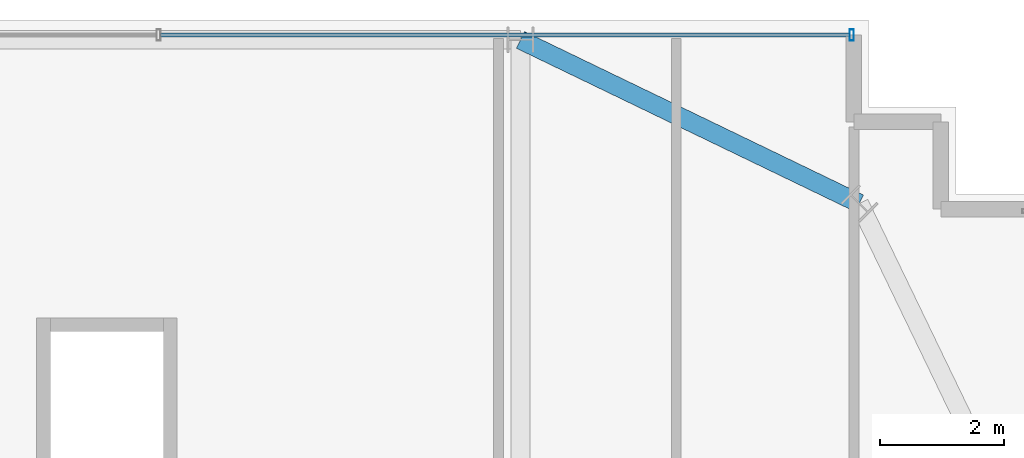
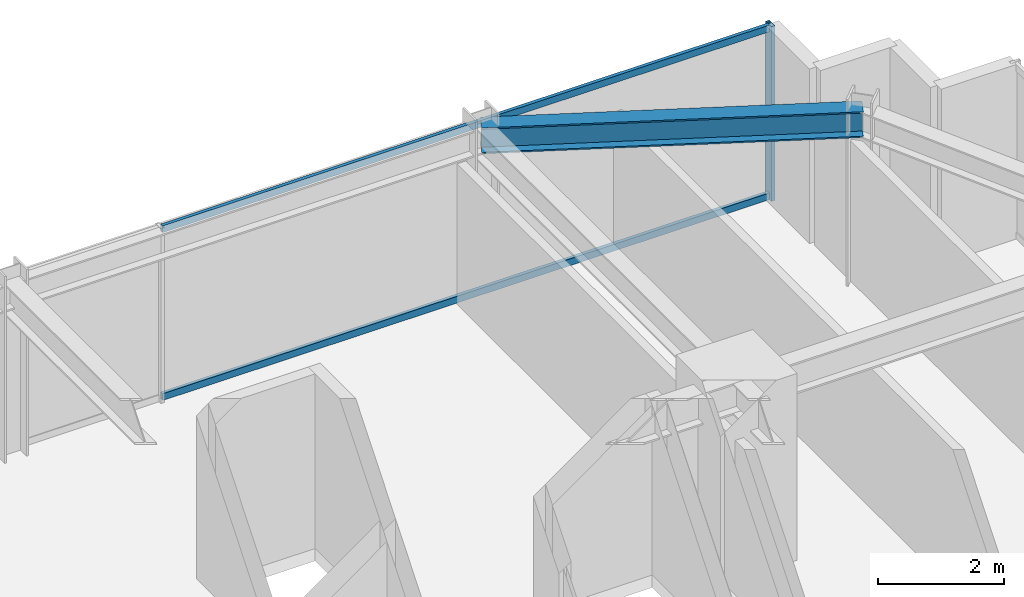
# One storey, part 27 of 36: 3 members, 1 beam, 1 element without a shape of its own.
"""IFC4 building model written with IfcOpenShell, lengths in metres."""

from ifc_helpers import new_model, si_unit, direction, frame, origin, origin_2d, place, context, subcontext, project, spatial, hollow_rectangle, i_section, extrude, source, transform, mapped, material, material_profile, profile_set, type_object, element, aggregate, save


model = new_model("IFC4")

# Units and contexts
model_context = context("Model", 3, precision=1e-05, world=origin(), true_north=direction((0.0, 1.0)))
body_context = subcontext(model_context, "Body", "Model", "MODEL_VIEW")
ifc_project = project(units=[si_unit("LENGTHUNIT", "METRE"), si_unit("AREAUNIT", "SQUARE_METRE"), si_unit("VOLUMEUNIT", "CUBIC_METRE"), si_unit("PLANEANGLEUNIT", "RADIAN"), si_unit("MASSUNIT", "GRAM", prefix="KILO")], contexts=[model_context])

# Site, building, storey
site_placement = place(None, origin())
site = spatial("IfcSite", under=ifc_project, at=site_placement, CompositionType="ELEMENT")
building_placement = place(site_placement, origin())
building = spatial("IfcBuilding", under=site, at=building_placement, Name="Nahalor Promenade Grand Hotel", CompositionType="ELEMENT")
storey_placement = place(building_placement, frame((0.0, 0.0, 72.550048828125)))
storey = spatial("IfcBuildingStorey", under=building, at=storey_placement, Name="L17", CompositionType="ELEMENT", Elevation=72.550048828125)

# Beam
ifc_material_1 = material(Name="Steel S355JR", Category="steel")
ifc_material_profile_1 = material_profile(ifc_material_1, i_section(OverallWidth=0.3, OverallDepth=0.5, WebThickness=0.0145, FlangeThickness=0.028, at=origin_2d()), Name="HEB 500")
ifc_profile_set_1 = profile_set([ifc_material_profile_1], Name="Steel S355JR")
beam_type = type_object("IfcBeamType", Name="Beam-Spandrel-HEB500", PredefinedType="SPANDREL", material=ifc_profile_set_1)
shared_shape_1 = source(origin(), body_context, "Body", "SweptSolid", [
    extrude(i_section(OverallWidth=0.3, OverallDepth=0.5, WebThickness=0.0145, FlangeThickness=0.028, at=origin_2d()), origin(), (0.0, 0.0, 1.0), 6.051513671875),
])
beam_placement = place(storey_placement, frame((17.0, 25.080078125, 3.119873046875), z_axis=(0.900608818852, -0.434630596492, 0.0), x_axis=(0.434630596492, 0.900608818852, 0.0)))
element("IfcBeam", 1, at=beam_placement, inside=storey, type_object=beam_type, Name="BM-L17-SPC-NE-1", PredefinedType="SPANDREL", context=body_context, shape_type="MappedRepresentation", body=[
    mapped(shared_shape_1, transform((0.0, 0.0, 0.0), scale=1.0)),
])

# Curtain wall, members
ifc_material_2 = material(Name="Anodised Bronze Aluminium EN AW-6063 T6", Category="aluminium")
curtain_wall_type = type_object("IfcCurtainWallType", Name="CW2 Typical Hotel Flush Bronze Unitised Curtain Wall", PredefinedType="USERDEFINED", material=ifc_material_2)
curtain_wall_placement = place(storey_placement, origin())
curtain_wall = element("IfcCurtainWall", 2, at=curtain_wall_placement, inside=storey, type_object=curtain_wall_type, Name="L17 Curtain Wall CW-L17-N-1", ObjectType="UNITISED_CURTAIN_WALL", PredefinedType="USERDEFINED")
ifc_material_profile_2 = material_profile(ifc_material_2, hollow_rectangle(XDim=0.065, YDim=0.13, WallThickness=0.004, at=origin_2d()), Name="CWT 65x130x4")
ifc_profile_set_2 = profile_set([ifc_material_profile_2], Name="Anodised Bronze Aluminium EN AW-6063 T6")
member_type_1 = type_object("IfcMemberType", Name="CWT2 Typical Bronze Transom 65x130", PredefinedType="USERDEFINED", material=ifc_profile_set_2)
shared_shape_2 = source(origin(), body_context, "Body", "SweptSolid", [
    extrude(hollow_rectangle(XDim=0.065, YDim=0.13, WallThickness=0.004, at=origin_2d()), origin(), (0.0, 0.0, 1.0), 11.08251953125),
])
member_1_placement = place(storey_placement, frame((11.21240234375, 25.159912109375, 0.06494140625), z_axis=(1.0, 0.0, 0.0), x_axis=(0.0, 1.0, 0.0)))
member_1 = element("IfcMember", 3, at=member_1_placement, type_object=member_type_1, Name="CW-L17-N-1 Transom 3-0", ObjectType="TRANSOM", PredefinedType="USERDEFINED", context=body_context, shape_type="MappedRepresentation", body=[
    mapped(shared_shape_2, transform((0.0, 0.0, 0.0), scale=1.0)),
])
member_2_placement = place(storey_placement, frame((11.21240234375, 25.159912109375, 3.304931640625), z_axis=(1.0, 0.0, 0.0), x_axis=(0.0, 1.0, 0.0)))
member_2 = element("IfcMember", 4, at=member_2_placement, type_object=member_type_1, Name="CW-L17-N-1 Transom 3-1", ObjectType="TRANSOM", PredefinedType="USERDEFINED", context=body_context, shape_type="MappedRepresentation", body=[
    mapped(shared_shape_2, transform((0.0, 0.0, 0.0), scale=1.0)),
])
ifc_material_profile_3 = material_profile(ifc_material_2, hollow_rectangle(XDim=0.065, YDim=0.18, WallThickness=0.004, at=origin_2d()), Name="CWM 65x180x4")
ifc_profile_set_3 = profile_set([ifc_material_profile_3], Name="Anodised Bronze Aluminium EN AW-6063 T6")
member_type_2 = type_object("IfcMemberType", Name="CWM2 Typical Bronze Mullion 65x180", PredefinedType="MULLION", material=ifc_profile_set_3)
shared_shape_3 = source(origin(), body_context, "Body", "SweptSolid", [
    extrude(hollow_rectangle(XDim=0.065, YDim=0.18, WallThickness=0.004, at=origin_2d()), origin(), (0.0, 0.0, 1.0), 3.369873046875),
])
member_3_placement = place(storey_placement, frame((22.327392578125, 25.159912109375, 0.0), z_axis=(0.0, 0.0, 1.0), x_axis=(1.0, 0.0, 0.0)))
member_3 = element("IfcMember", 5, at=member_3_placement, type_object=member_type_2, Name="CW-L17-N-1 Mullion 4", PredefinedType="MULLION", context=body_context, shape_type="MappedRepresentation", body=[
    mapped(shared_shape_3, transform((0.0, 0.0, 0.0), scale=1.0)),
])
aggregate(curtain_wall, [member_3, member_1, member_2])

save(model, "model.ifc")
